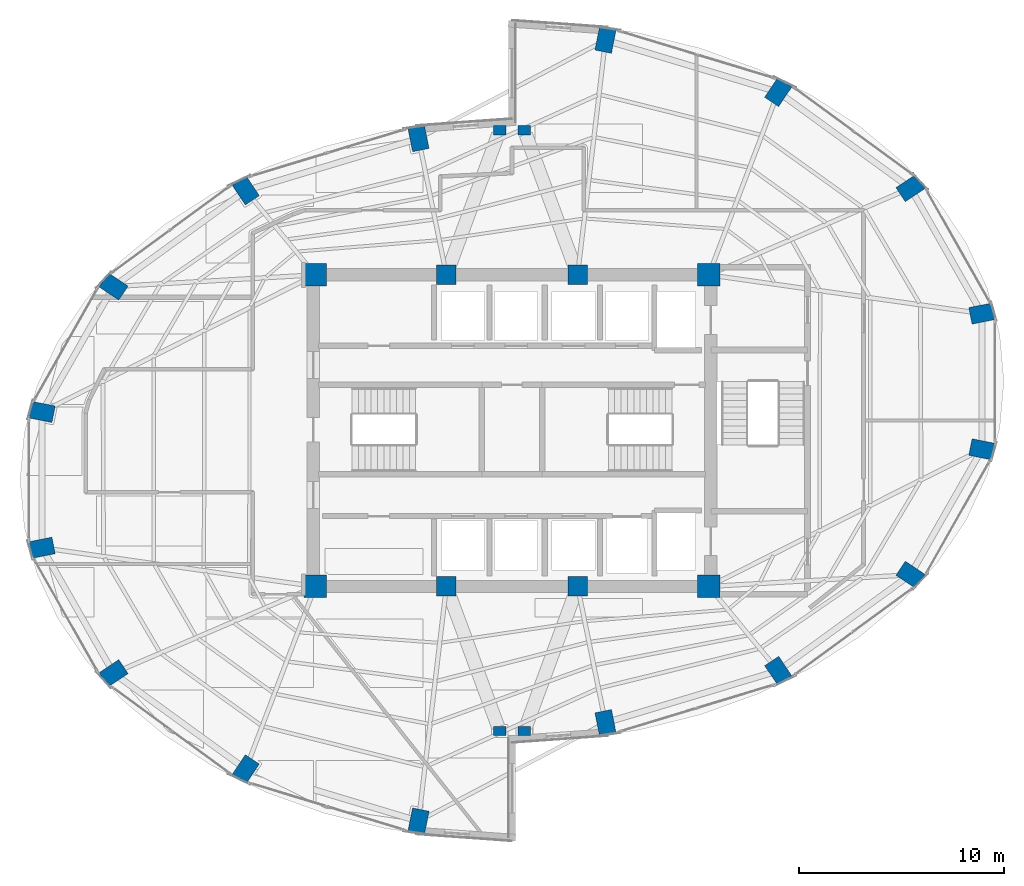
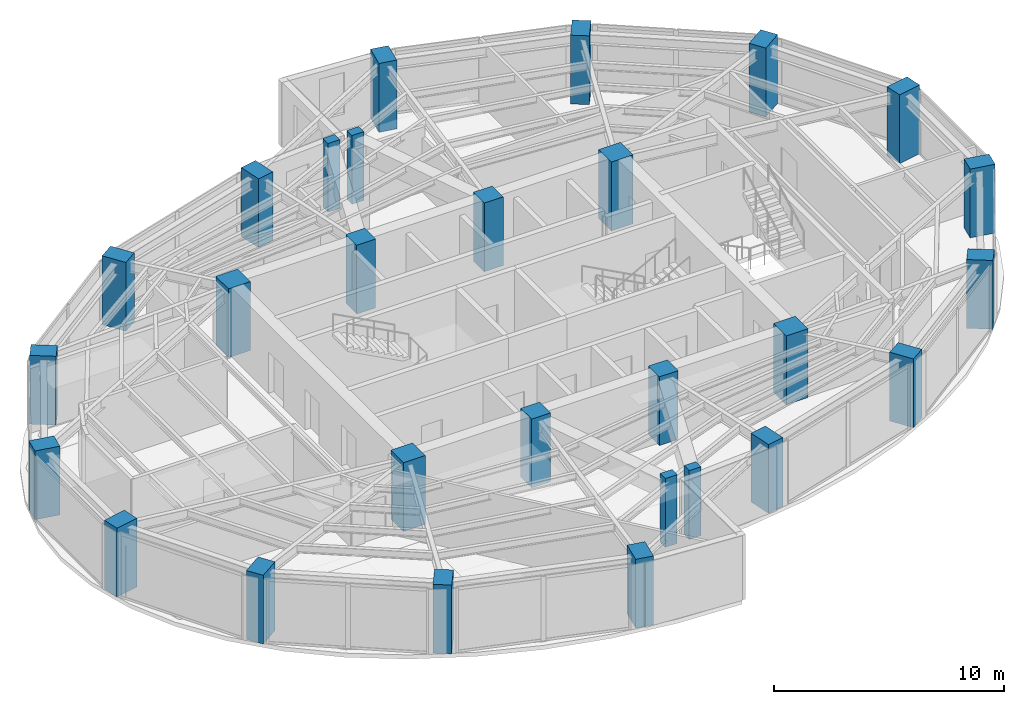
# One storey, part 1 of 20: 28 columns.
"""IFC4 building model written with IfcOpenShell, lengths in metres."""

from ifc_helpers import new_model, si_unit, direction, frame, origin, origin_2d, place, context, subcontext, project, spatial, rectangle, extrude, material, material_profile, profile_set, type_object, element, save


model = new_model("IFC4")

# Units and contexts
model_context = context("Model", 3, precision=1e-05, world=origin(), true_north=direction((0.0, 1.0)))
body_context = subcontext(model_context, "Body", "Model", "MODEL_VIEW")
ifc_project = project(units=[si_unit("LENGTHUNIT", "METRE"), si_unit("AREAUNIT", "SQUARE_METRE"), si_unit("VOLUMEUNIT", "CUBIC_METRE"), si_unit("PLANEANGLEUNIT", "RADIAN"), si_unit("MASSUNIT", "GRAM", prefix="KILO")], contexts=[model_context])

# Site, building, storey
site_placement = place(None, origin())
site = spatial("IfcSite", under=ifc_project, at=site_placement, CompositionType="ELEMENT")
building_placement = place(site_placement, origin())
building = spatial("IfcBuilding", under=site, at=building_placement, Name="Lazwardi Medical Tower", CompositionType="ELEMENT")
storey_placement = place(building_placement, frame((0.0, 0.0, 149.23193359375)))
storey = spatial("IfcBuildingStorey", under=building, at=storey_placement, Name="L38", CompositionType="ELEMENT", Elevation=149.23193359375)

# Columns
ifc_material_1 = material(Name="Concrete C80/95", Category="concrete")
ifc_material_profile_1 = material_profile(ifc_material_1, rectangle(XDim=1.10009765625, YDim=1.10009765625, at=origin_2d()), Name="RC 1100x1100")
ifc_profile_set_1 = profile_set([ifc_material_profile_1], Name="Concrete C80/95")
column_type_1 = type_object("IfcColumnType", Name="COL-CC-L", PredefinedType="COLUMN", material=ifc_profile_set_1)
for number, where, z_axis, x_axis, name in (
    (1, (26.39990234375, 20.39990234375, 0.0), (0.0, 0.0, 1.0), (1.0, 0.0, 0.0), "Core column CC-01 CC1 L38"),
    (2, (45.60009765625, 20.39990234375, 0.0), (0.0, 0.0, 1.0), (1.0, 0.0, 0.0), "Core column CC-01 CC4 L38"),
    (3, (45.60009765625, 35.60009765625, 0.0), (0.0, 0.0, 1.0), (1.0, 0.0, 0.0), "Core column CC-01 CC5 L38"),
    (4, (26.39990234375, 35.60009765625, 0.0), (0.0, 0.0, 1.0), (1.0, 0.0, 0.0), "Core column CC-01 CC8 L38"),
):
    element("IfcColumn", number, at=place(storey_placement, frame(where, z_axis=z_axis, x_axis=x_axis)), inside=storey, type_object=column_type_1, Name=name, PredefinedType="COLUMN", context=body_context, shape_type="SweptSolid", body=[
        extrude(rectangle(XDim=1.10009765625, YDim=1.10009765625, at=origin_2d()), origin(), (0.0, 0.0, 1.0), 3.64794921875),
    ])
ifc_material_2 = material(Name="Concrete C70/85", Category="concrete")
ifc_material_profile_2 = material_profile(ifc_material_2, rectangle(XDim=0.949951171875, YDim=0.949951171875, at=origin_2d()), Name="RC 950x950")
ifc_profile_set_2 = profile_set([ifc_material_profile_2], Name="Concrete C70/85")
column_type_2 = type_object("IfcColumnType", Name="COL-CC-M", PredefinedType="COLUMN", material=ifc_profile_set_2)
for number, where, z_axis, x_axis, name in (
    (5, (32.800048828125, 20.39990234375, 0.0), (0.0, 0.0, 1.0), (1.0, 0.0, 0.0), "Core column CC-02 CC2 L38"),
    (6, (39.199951171875, 20.39990234375, 0.0), (0.0, 0.0, 1.0), (1.0, 0.0, 0.0), "Core column CC-02 CC3 L38"),
    (7, (39.199951171875, 35.60009765625, 0.0), (0.0, 0.0, 1.0), (1.0, 0.0, 0.0), "Core column CC-02 CC6 L38"),
    (8, (32.800048828125, 35.60009765625, 0.0), (0.0, 0.0, 1.0), (1.0, 0.0, 0.0), "Core column CC-02 CC7 L38"),
):
    element("IfcColumn", number, at=place(storey_placement, frame(where, z_axis=z_axis, x_axis=x_axis)), inside=storey, type_object=column_type_2, Name=name, PredefinedType="COLUMN", context=body_context, shape_type="SweptSolid", body=[
        extrude(rectangle(XDim=0.949951171875, YDim=0.949951171875, at=origin_2d()), origin(), (0.0, 0.0, 1.0), 3.64794921875),
    ])
ifc_material_3 = material(Name="Concrete C60/75", Category="concrete")
ifc_material_profile_3 = material_profile(ifc_material_3, rectangle(XDim=1.14990234375, YDim=0.820068359375, at=origin_2d()), Name="CFT-RECT 1150x820")
ifc_profile_set_3 = profile_set([ifc_material_profile_3], Name="Concrete C60/75")
column_type_3 = type_object("IfcColumnType", Name="COL-MC-Z3", PredefinedType="COLUMN", material=ifc_profile_set_3)
for number, where, z_axis, x_axis, name in (
    (9, (40.560302734375, 13.751220703125, 0.0), (0.0, 0.0, 1.0), (0.195090322016, -0.980785280403, 0.0), "Mega column MC-05 M01 L38"),
    (10, (48.986572265625, 16.285888671875, 0.0), (0.0, 0.0, 1.0), (0.55557023302, -0.831469612303, 0.0), "Mega column MC-05 M02 L38"),
    (11, (55.435546875, 20.96923828125, 0.0), (0.0, 0.0, 1.0), (0.831469612303, -0.55557023302, 0.0), "Mega column MC-05 M03 L38"),
    (12, (58.92578125, 27.08837890625, 0.0), (0.0, 0.0, 1.0), (0.980785280403, -0.195090322016, 0.0), "Mega column MC-05 M04 L38"),
    (13, (58.92578125, 33.711669921875, 0.0), (0.0, 0.0, 1.0), (0.980785280403, 0.195090322016, 0.0), "Mega column MC-05 M05 L38"),
    (14, (55.435546875, 39.830810546875, 0.0), (0.0, 0.0, 1.0), (0.831469612303, 0.55557023302, 0.0), "Mega column MC-05 M06 L38"),
    (15, (48.986572265625, 44.51416015625, 0.0), (0.0, 0.0, 1.0), (0.55557023302, 0.831469612303, 0.0), "Mega column MC-05 M07 L38"),
    (16, (40.560302734375, 47.048828125, 0.0), (0.0, 0.0, 1.0), (0.195090322016, 0.980785280403, 0.0), "Mega column MC-05 M08 L38"),
    (17, (31.439697265625, 42.248779296875, 0.0), (0.0, 0.0, 1.0), (-0.195090322016, 0.980785280403, 0.0), "Mega column MC-05 M09 L38"),
    (18, (23.013427734375, 39.714111328125, 0.0), (0.0, 0.0, 1.0), (-0.55557023302, 0.831469612303, 0.0), "Mega column MC-05 M10 L38"),
    (19, (16.564453125, 35.03076171875, 0.0), (0.0, 0.0, 1.0), (-0.831469612303, 0.55557023302, 0.0), "Mega column MC-05 M11 L38"),
    (20, (13.07421875, 28.91162109375, 0.0), (0.0, 0.0, 1.0), (-0.980785280403, 0.195090322016, 0.0), "Mega column MC-05 M12 L38"),
    (21, (13.07421875, 22.288330078125, 0.0), (0.0, 0.0, 1.0), (-0.980785280403, -0.195090322016, 0.0), "Mega column MC-05 M13 L38"),
    (22, (16.564453125, 16.169189453125, 0.0), (0.0, 0.0, 1.0), (-0.831469612303, -0.55557023302, 0.0), "Mega column MC-05 M14 L38"),
    (23, (23.013427734375, 11.48583984375, 0.0), (0.0, 0.0, 1.0), (-0.55557023302, -0.831469612303, 0.0), "Mega column MC-05 M15 L38"),
    (24, (31.439697265625, 8.951171875, 0.0), (0.0, 0.0, 1.0), (-0.195090322016, -0.980785280403, 0.0), "Mega column MC-05 M16 L38"),
):
    element("IfcColumn", number, at=place(storey_placement, frame(where, z_axis=z_axis, x_axis=x_axis)), inside=storey, type_object=column_type_3, Name=name, PredefinedType="COLUMN", context=body_context, shape_type="SweptSolid", body=[
        extrude(rectangle(XDim=1.14990234375, YDim=0.820068359375, at=origin_2d()), origin(), (0.0, 0.0, 1.0), 3.64794921875),
    ])
ifc_material_profile_4 = material_profile(ifc_material_3, rectangle(XDim=0.60009765625, YDim=0.449951171875, at=origin_2d()), Name="RC 600x450")
ifc_profile_set_4 = profile_set([ifc_material_profile_4], Name="Concrete C60/75")
column_type_4 = type_object("IfcColumnType", Name="COL-PL-IW", PredefinedType="PILASTER", material=ifc_profile_set_4)
for number, where, z_axis, x_axis, name in (
    (25, (35.39990234375, 42.64990234375, 0.0), (0.0, 0.0, 1.0), (1.0, 0.0, 0.0), "Iwan pilaster column PL-C1 PL1 L38"),
    (26, (36.60009765625, 42.64990234375, 0.0), (0.0, 0.0, 1.0), (1.0, 0.0, 0.0), "Iwan pilaster column PL-C1 PL2 L38"),
    (27, (35.39990234375, 13.35009765625, 0.0), (0.0, 0.0, 1.0), (1.0, 0.0, 0.0), "Iwan pilaster column PL-C1 PL3 L38"),
    (28, (36.60009765625, 13.35009765625, 0.0), (0.0, 0.0, 1.0), (1.0, 0.0, 0.0), "Iwan pilaster column PL-C1 PL4 L38"),
):
    element("IfcColumn", number, at=place(storey_placement, frame(where, z_axis=z_axis, x_axis=x_axis)), inside=storey, type_object=column_type_4, Name=name, PredefinedType="PILASTER", context=body_context, shape_type="SweptSolid", body=[
        extrude(rectangle(XDim=0.60009765625, YDim=0.449951171875, at=origin_2d()), origin(), (0.0, 0.0, 1.0), 3.64794921875),
    ])

save(model, "model.ifc")
